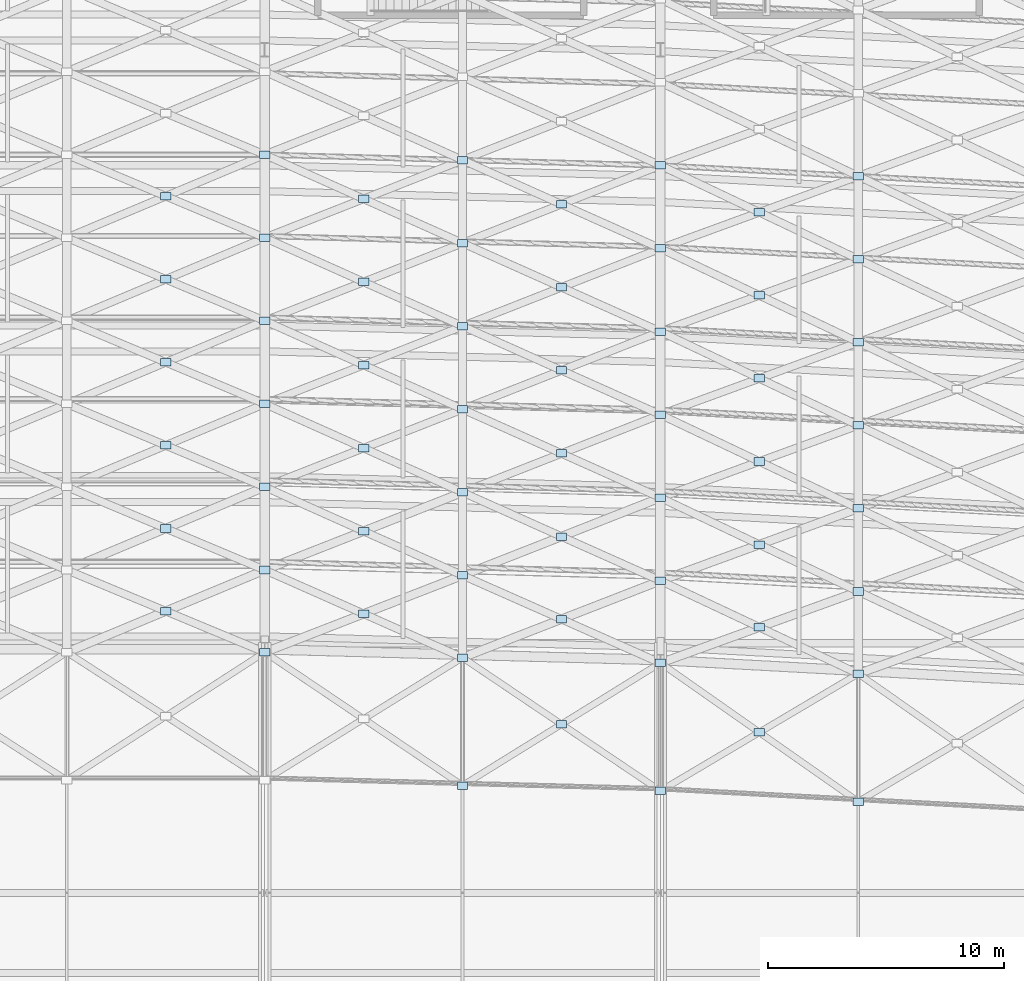
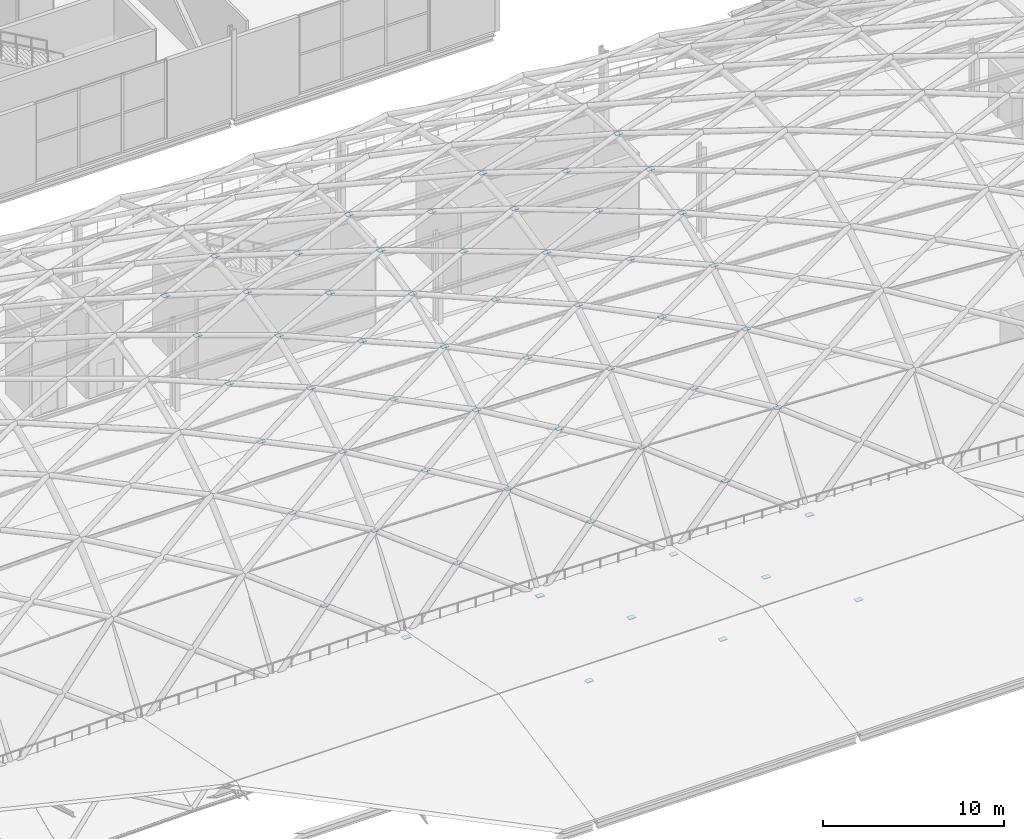
# One storey, part 74 of 100: 57 plates.
"""IFC4 building model written with IfcOpenShell, lengths in metres."""

from ifc_helpers import new_model, si_unit, direction, frame, origin, origin_2d, place, context, subcontext, project, spatial, rectangle, extrude, material, layer, layer_set, type_object, element, save


model = new_model("IFC4")

# Units and contexts
model_context = context("Model", 3, precision=1e-05, world=origin(), true_north=direction((0.0, 1.0)))
body_context = subcontext(model_context, "Body", "Model", "MODEL_VIEW")
ifc_project = project(units=[si_unit("LENGTHUNIT", "METRE"), si_unit("AREAUNIT", "SQUARE_METRE"), si_unit("VOLUMEUNIT", "CUBIC_METRE"), si_unit("PLANEANGLEUNIT", "RADIAN"), si_unit("MASSUNIT", "GRAM", prefix="KILO")], contexts=[model_context])

# Site, building, storey
site_placement = place(None, origin())
site = spatial("IfcSite", under=ifc_project, at=site_placement, CompositionType="ELEMENT")
building_placement = place(site_placement, origin())
building = spatial("IfcBuilding", under=site, at=building_placement, Name="Kimbaza Rail Terminus", CompositionType="ELEMENT")
storey_placement = place(building_placement, frame((0.0, 0.0, 10.800048828125)))
storey = spatial("IfcBuildingStorey", under=building, at=storey_placement, Name="L02", CompositionType="ELEMENT", Elevation=10.800048828125)

# Plates
ifc_material = material(Name="Steel S355", Category="steel")
ifc_layer = layer(ifc_material, 0.0400390625)
ifc_layer_set = layer_set([ifc_layer], Name="Steel S355")
plate_type = type_object("IfcPlateType", Name="STR-PL-NP01", PredefinedType="USERDEFINED", material=ifc_layer_set)
for number, where, z_axis, x_axis, name in (
    (1, (122.39990234375, 54.61865234375, 0.044189453125), (0.0, 0.0, 1.0), (1.0, 0.0, 0.0), "Vault Node Cap Plate NP-01 VR-12/VA01"),
    (2, (122.39990234375, 58.10986328125, 5.147705078125), (0.0, 0.0, 1.0), (1.0, 0.0, 0.0), "Vault Node Cap Plate NP-01 VR-12/VA02"),
    (3, (122.39990234375, 61.636474609375, 8.330322265625), (0.0, 0.0, 1.0), (1.0, 0.0, 0.0), "Vault Node Cap Plate NP-01 VR-12/VA03"),
    (4, (122.39990234375, 65.1630859375, 10.479736328125), (0.0, 0.0, 1.0), (1.0, 0.0, 0.0), "Vault Node Cap Plate NP-01 VR-12/VA04"),
    (5, (122.39990234375, 68.689697265625, 11.89111328125), (0.0, 0.0, 1.0), (1.0, 0.0, 0.0), "Vault Node Cap Plate NP-01 VR-12/VA05"),
    (6, (122.39990234375, 72.21630859375, 12.697265625), (0.0, 0.0, 1.0), (1.0, 0.0, 0.0), "Vault Node Cap Plate NP-01 VR-12/VA06"),
    (7, (122.39990234375, 75.7431640625, 12.9599609375), (0.0, 0.0, 1.0), (1.0, 0.0, 0.0), "Vault Node Cap Plate NP-01 VR-12/VA07"),
    (8, (130.800048828125, 48.95751953125, -2.392578125), (0.0, 0.0, 1.0), (1.0, 0.0, 0.0), "Vault Node Cap Plate NP-01 VR-13/VA00"),
    (9, (130.800048828125, 54.390869140625, 0.044189453125), (0.0, 0.0, 1.0), (1.0, 0.0, 0.0), "Vault Node Cap Plate NP-01 VR-13/VA01"),
    (10, (130.800048828125, 57.882080078125, 5.147705078125), (0.0, 0.0, 1.0), (1.0, 0.0, 0.0), "Vault Node Cap Plate NP-01 VR-13/VA02"),
    (11, (130.800048828125, 61.40869140625, 8.330322265625), (0.0, 0.0, 1.0), (1.0, 0.0, 0.0), "Vault Node Cap Plate NP-01 VR-13/VA03"),
    (12, (130.800048828125, 64.935302734375, 10.479736328125), (0.0, 0.0, 1.0), (1.0, 0.0, 0.0), "Vault Node Cap Plate NP-01 VR-13/VA04"),
    (13, (130.800048828125, 68.462158203125, 11.89111328125), (0.0, 0.0, 1.0), (1.0, 0.0, 0.0), "Vault Node Cap Plate NP-01 VR-13/VA05"),
    (14, (130.800048828125, 71.98876953125, 12.697265625), (0.0, 0.0, 1.0), (1.0, 0.0, 0.0), "Vault Node Cap Plate NP-01 VR-13/VA06"),
    (15, (130.800048828125, 75.515380859375, 12.9599609375), (0.0, 0.0, 1.0), (1.0, 0.0, 0.0), "Vault Node Cap Plate NP-01 VR-13/VA07"),
    (16, (139.199951171875, 48.729736328125, -2.392578125), (0.0, 0.0, 1.0), (1.0, 0.0, 0.0), "Vault Node Cap Plate NP-01 VR-14/VA00"),
    (17, (139.199951171875, 54.163330078125, 0.044189453125), (0.0, 0.0, 1.0), (1.0, 0.0, 0.0), "Vault Node Cap Plate NP-01 VR-14/VA01"),
    (18, (139.199951171875, 57.654296875, 5.147705078125), (0.0, 0.0, 1.0), (1.0, 0.0, 0.0), "Vault Node Cap Plate NP-01 VR-14/VA02"),
    (19, (139.199951171875, 61.180908203125, 8.330322265625), (0.0, 0.0, 1.0), (1.0, 0.0, 0.0), "Vault Node Cap Plate NP-01 VR-14/VA03"),
    (20, (139.199951171875, 64.707763671875, 10.479736328125), (0.0, 0.0, 1.0), (1.0, 0.0, 0.0), "Vault Node Cap Plate NP-01 VR-14/VA04"),
    (21, (139.199951171875, 68.234375, 11.89111328125), (0.0, 0.0, 1.0), (1.0, 0.0, 0.0), "Vault Node Cap Plate NP-01 VR-14/VA05"),
    (22, (139.199951171875, 71.760986328125, 12.697265625), (0.0, 0.0, 1.0), (1.0, 0.0, 0.0), "Vault Node Cap Plate NP-01 VR-14/VA06"),
    (23, (139.199951171875, 75.28759765625, 12.9599609375), (0.0, 0.0, 1.0), (1.0, 0.0, 0.0), "Vault Node Cap Plate NP-01 VR-14/VA07"),
    (24, (147.60009765625, 48.27392578125, -2.392578125), (0.0, 0.0, 1.0), (1.0, 0.0, 0.0), "Vault Node Cap Plate NP-01 VR-15/VA00"),
    (25, (147.60009765625, 53.707275390625, 0.044189453125), (0.0, 0.0, 1.0), (1.0, 0.0, 0.0), "Vault Node Cap Plate NP-01 VR-15/VA01"),
    (26, (147.60009765625, 57.198486328125, 5.147705078125), (0.0, 0.0, 1.0), (1.0, 0.0, 0.0), "Vault Node Cap Plate NP-01 VR-15/VA02"),
    (27, (147.60009765625, 60.72509765625, 8.330322265625), (0.0, 0.0, 1.0), (1.0, 0.0, 0.0), "Vault Node Cap Plate NP-01 VR-15/VA03"),
    (28, (147.60009765625, 64.251708984375, 10.479736328125), (0.0, 0.0, 1.0), (1.0, 0.0, 0.0), "Vault Node Cap Plate NP-01 VR-15/VA04"),
    (29, (147.60009765625, 67.7783203125, 11.89111328125), (0.0, 0.0, 1.0), (1.0, 0.0, 0.0), "Vault Node Cap Plate NP-01 VR-15/VA05"),
    (30, (147.60009765625, 71.30517578125, 12.697265625), (0.0, 0.0, 1.0), (1.0, 0.0, 0.0), "Vault Node Cap Plate NP-01 VR-15/VA06"),
    (31, (147.60009765625, 74.831787109375, 12.9599609375), (0.0, 0.0, 1.0), (1.0, 0.0, 0.0), "Vault Node Cap Plate NP-01 VR-15/VA07"),
    (32, (118.199951171875, 56.3642578125, 2.595947265625), (0.0, 0.0, 1.0), (1.0, 0.0, 0.0), "Vault Crossing Saddle Node Plate NP-01 VR-11/VA01"),
    (33, (118.199951171875, 59.873046875, 6.739013671875), (0.0, 0.0, 1.0), (1.0, 0.0, 0.0), "Vault Crossing Saddle Node Plate NP-01 VR-11/VA02"),
    (34, (118.199951171875, 63.399658203125, 9.405029296875), (0.0, 0.0, 1.0), (1.0, 0.0, 0.0), "Vault Crossing Saddle Node Plate NP-01 VR-11/VA03"),
    (35, (118.199951171875, 66.926513671875, 11.185546875), (0.0, 0.0, 1.0), (1.0, 0.0, 0.0), "Vault Crossing Saddle Node Plate NP-01 VR-11/VA04"),
    (36, (118.199951171875, 70.453125, 12.294189453125), (0.0, 0.0, 1.0), (1.0, 0.0, 0.0), "Vault Crossing Saddle Node Plate NP-01 VR-11/VA05"),
    (37, (118.199951171875, 73.979736328125, 12.82861328125), (0.0, 0.0, 1.0), (1.0, 0.0, 0.0), "Vault Crossing Saddle Node Plate NP-01 VR-11/VA06"),
    (38, (126.60009765625, 56.250244140625, 2.595947265625), (0.0, 0.0, 1.0), (1.0, 0.0, 0.0), "Vault Crossing Saddle Node Plate NP-01 VR-12/VA01"),
    (39, (126.60009765625, 59.75927734375, 6.739013671875), (0.0, 0.0, 1.0), (1.0, 0.0, 0.0), "Vault Crossing Saddle Node Plate NP-01 VR-12/VA02"),
    (40, (126.60009765625, 63.285888671875, 9.405029296875), (0.0, 0.0, 1.0), (1.0, 0.0, 0.0), "Vault Crossing Saddle Node Plate NP-01 VR-12/VA03"),
    (41, (126.60009765625, 66.8125, 11.185546875), (0.0, 0.0, 1.0), (1.0, 0.0, 0.0), "Vault Crossing Saddle Node Plate NP-01 VR-12/VA04"),
    (42, (126.60009765625, 70.33935546875, 12.294189453125), (0.0, 0.0, 1.0), (1.0, 0.0, 0.0), "Vault Crossing Saddle Node Plate NP-01 VR-12/VA05"),
    (43, (126.60009765625, 73.865966796875, 12.82861328125), (0.0, 0.0, 1.0), (1.0, 0.0, 0.0), "Vault Crossing Saddle Node Plate NP-01 VR-12/VA06"),
    (44, (135.0, 51.560302734375, -1.17431640625), (0.0, 0.0, 1.0), (1.0, 0.0, 0.0), "Vault Crossing Saddle Node Plate NP-01 VR-13/VA00"),
    (45, (135.0, 56.022705078125, 2.595947265625), (0.0, 0.0, 1.0), (1.0, 0.0, 0.0), "Vault Crossing Saddle Node Plate NP-01 VR-13/VA01"),
    (46, (135.0, 59.531494140625, 6.739013671875), (0.0, 0.0, 1.0), (1.0, 0.0, 0.0), "Vault Crossing Saddle Node Plate NP-01 VR-13/VA02"),
    (47, (135.0, 63.05810546875, 9.405029296875), (0.0, 0.0, 1.0), (1.0, 0.0, 0.0), "Vault Crossing Saddle Node Plate NP-01 VR-13/VA03"),
    (48, (135.0, 66.5849609375, 11.185546875), (0.0, 0.0, 1.0), (1.0, 0.0, 0.0), "Vault Crossing Saddle Node Plate NP-01 VR-13/VA04"),
    (49, (135.0, 70.111572265625, 12.294189453125), (0.0, 0.0, 1.0), (1.0, 0.0, 0.0), "Vault Crossing Saddle Node Plate NP-01 VR-13/VA05"),
    (50, (135.0, 73.63818359375, 12.82861328125), (0.0, 0.0, 1.0), (1.0, 0.0, 0.0), "Vault Crossing Saddle Node Plate NP-01 VR-13/VA06"),
    (51, (143.39990234375, 51.218505859375, -1.17431640625), (0.0, 0.0, 1.0), (1.0, 0.0, 0.0), "Vault Crossing Saddle Node Plate NP-01 VR-14/VA00"),
    (52, (143.39990234375, 55.680908203125, 2.595947265625), (0.0, 0.0, 1.0), (1.0, 0.0, 0.0), "Vault Crossing Saddle Node Plate NP-01 VR-14/VA01"),
    (53, (143.39990234375, 59.189697265625, 6.739013671875), (0.0, 0.0, 1.0), (1.0, 0.0, 0.0), "Vault Crossing Saddle Node Plate NP-01 VR-14/VA02"),
    (54, (143.39990234375, 62.71630859375, 9.405029296875), (0.0, 0.0, 1.0), (1.0, 0.0, 0.0), "Vault Crossing Saddle Node Plate NP-01 VR-14/VA03"),
    (55, (143.39990234375, 66.242919921875, 11.185546875), (0.0, 0.0, 1.0), (1.0, 0.0, 0.0), "Vault Crossing Saddle Node Plate NP-01 VR-14/VA04"),
    (56, (143.39990234375, 69.769775390625, 12.294189453125), (0.0, 0.0, 1.0), (1.0, 0.0, 0.0), "Vault Crossing Saddle Node Plate NP-01 VR-14/VA05"),
    (57, (143.39990234375, 73.29638671875, 12.82861328125), (0.0, 0.0, 1.0), (1.0, 0.0, 0.0), "Vault Crossing Saddle Node Plate NP-01 VR-14/VA06"),
):
    element("IfcPlate", number, at=place(storey_placement, frame(where, z_axis=z_axis, x_axis=x_axis)), inside=storey, type_object=plate_type, Name=name, ObjectType="GUSSET PLATE", PredefinedType="USERDEFINED", context=body_context, shape_type="SweptSolid", body=[
        extrude(rectangle(XDim=0.43994140625, YDim=0.320068359375, at=origin_2d()), origin(), (0.0, 0.0, 1.0), 0.0400390625),
    ])

save(model, "model.ifc")
